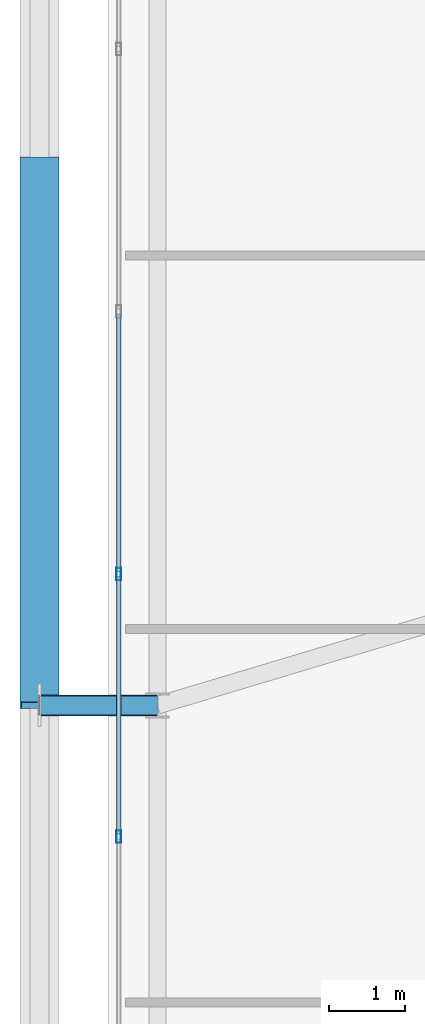
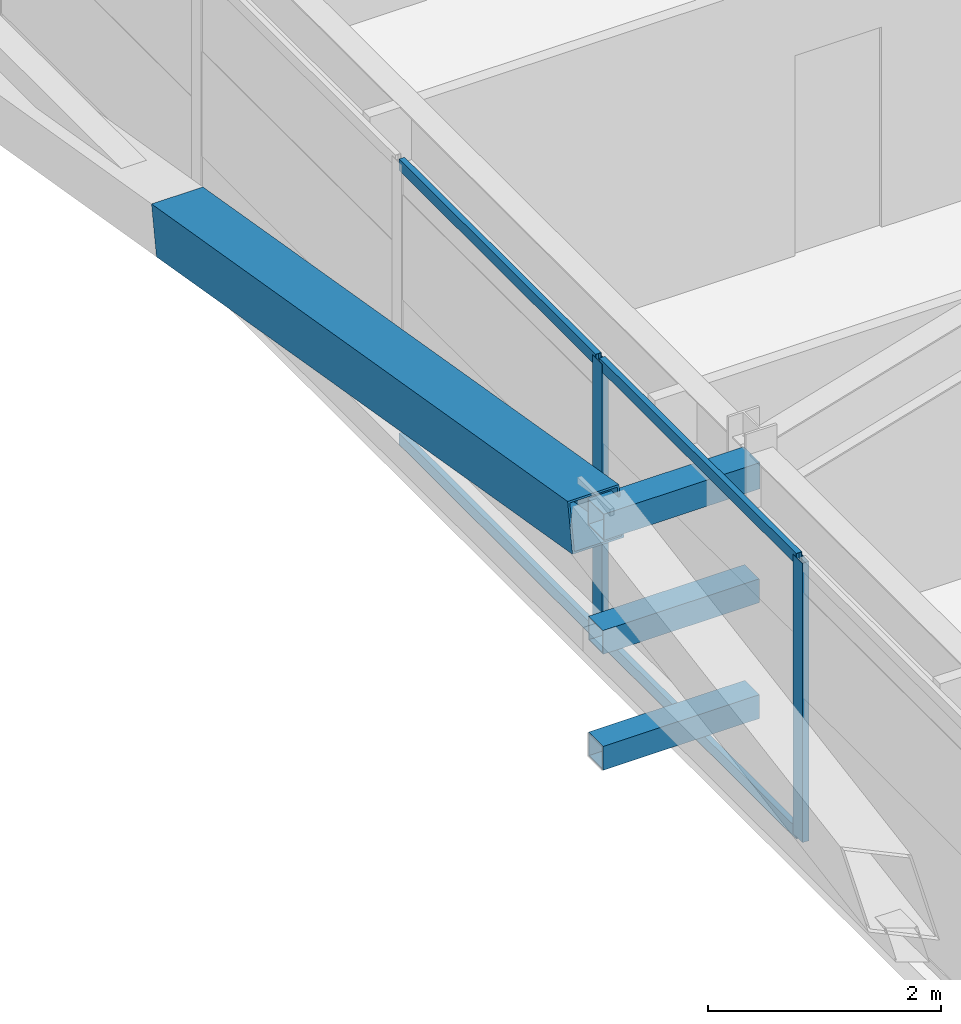
# One storey, part 14 of 58: 10 members, 1 element without a shape of its own.
"""IFC4 building model written with IfcOpenShell, lengths in metres."""

from ifc_helpers import new_model, si_unit, direction, frame, origin, origin_2d, place, context, subcontext, project, spatial, hollow_rectangle, extrude, source, transform, mapped, material, layer, layer_set, material_profile, profile_set, type_object, element, aggregate, save


model = new_model("IFC4")

# Units and contexts
model_context = context("Model", 3, precision=1e-05, world=origin(), true_north=direction((0.0, 1.0)))
body_context = subcontext(model_context, "Body", "Model", "MODEL_VIEW")
ifc_project = project(units=[si_unit("LENGTHUNIT", "METRE"), si_unit("AREAUNIT", "SQUARE_METRE"), si_unit("VOLUMEUNIT", "CUBIC_METRE"), si_unit("PLANEANGLEUNIT", "RADIAN"), si_unit("MASSUNIT", "GRAM", prefix="KILO")], contexts=[model_context])

# Site, building, storey
site_placement = place(None, origin())
site = spatial("IfcSite", under=ifc_project, at=site_placement, CompositionType="ELEMENT")
building_placement = place(site_placement, origin())
building = spatial("IfcBuilding", under=site, at=building_placement, Name="Taldren Reach Tower", CompositionType="ELEMENT")
storey_placement = place(building_placement, frame((0.0, 0.0, 35.699951171875)))
storey = spatial("IfcBuildingStorey", under=building, at=storey_placement, Name="L10", CompositionType="ELEMENT", Elevation=35.699951171875)

# Members
ifc_material_1 = material(Name="Steel Gr 450 (C450L0)", Category="steel")
ifc_material_profile_1 = material_profile(ifc_material_1, hollow_rectangle(XDim=0.27490234375, YDim=0.27490234375, WallThickness=0.00927734375, at=origin_2d()), Name="275x275x9.3SHS")
ifc_profile_set_1 = profile_set([ifc_material_profile_1], Name="Steel Gr 450 (C450L0)")
member_type_1 = type_object("IfcMemberType", Name="MB-TIE273", PredefinedType="STRUT", material=ifc_profile_set_1)
shared_shape_1 = source(origin(), body_context, "Body", "SweptSolid", [
    extrude(hollow_rectangle(XDim=0.27490234375, YDim=0.27490234375, WallThickness=0.00927734375, at=origin_2d()), origin(), (0.0, 0.0, 1.0), 1.5498046875),
])
member_1_placement = place(storey_placement, frame((5.64990234375, 20.0, 2.650146484375), z_axis=(-1.0, 0.0, 0.0), x_axis=(0.0, -1.0, 0.0)))
element("IfcMember", 1, at=member_1_placement, inside=storey, type_object=member_type_1, Name="Exoskeleton diaphragm tie strut B1-W2 L10", PredefinedType="STRUT", context=body_context, shape_type="MappedRepresentation", body=[
    mapped(shared_shape_1, transform((0.0, 0.0, 0.0), scale=1.0)),
])
ifc_material_2 = material(Name="Steel Gr 350 (C350L0)", Category="steel")
ifc_material_profile_2 = material_profile(ifc_material_2, hollow_rectangle(XDim=0.25, YDim=0.25, WallThickness=0.010009765625, at=origin_2d()), Name="250x250x10.0SHS")
ifc_profile_set_2 = profile_set([ifc_material_profile_2], Name="Steel Gr 350 (C350L0)")
member_type_2 = type_object("IfcMemberType", Name="MB-POST250", PredefinedType="POST", material=ifc_profile_set_2)
shared_shape_2 = source(origin(), body_context, "Body", "SweptSolid", [
    extrude(hollow_rectangle(XDim=0.25, YDim=0.25, WallThickness=0.010009765625, at=origin_2d()), origin(), (0.0, 0.0, 1.0), 1.5498046875),
])
for number, where, z_axis, x_axis, name in (
    (2, (5.64990234375, 20.0, 0.219970703125), (-1.0, 0.0, 0.0), (0.0, -1.0, 0.0), "Exoskeleton base diaphragm tie strut B1-W2 L10"),
    (3, (5.64990234375, 20.0, 1.43505859375), (-1.0, 0.0, 0.0), (0.0, -1.0, 0.0), "Exoskeleton mid-tier diaphragm tie B1-W2 L10"),
):
    element("IfcMember", number, at=place(storey_placement, frame(where, z_axis=z_axis, x_axis=x_axis)), inside=storey, type_object=member_type_2, Name=name, PredefinedType="POST", context=body_context, shape_type="MappedRepresentation", body=[
        mapped(shared_shape_2, transform((0.0, 0.0, 0.0), scale=1.0)),
    ])
ifc_material_profile_3 = material_profile(ifc_material_1, hollow_rectangle(XDim=0.510009765625, YDim=0.510009765625, WallThickness=0.02001953125, at=origin_2d()), Name="510x510x20.0SHS")
ifc_profile_set_3 = profile_set([ifc_material_profile_3], Name="Steel Gr 450 (C450L0)")
member_type_3 = type_object("IfcMemberType", Name="MB-EXO508", PredefinedType="BRACE", material=ifc_profile_set_3)
shared_shape_3 = source(origin(), body_context, "Body", "SweptSolid", [
    extrude(hollow_rectangle(XDim=0.510009765625, YDim=0.510009765625, WallThickness=0.02001953125, at=origin_2d()), origin(), (0.0, 0.0, 1.0), 7.25244140625),
])
member_2_placement = place(storey_placement, frame((4.10009765625, 27.14990234375, 1.43505859375), z_axis=(0.0, -0.985864855729, 0.167542490848), x_axis=(1.0, 0.0, 0.0)))
element("IfcMember", 4, at=member_2_placement, inside=storey, type_object=member_type_3, Name="Exoskeleton Diagrid Brace B1-W2 L10", PredefinedType="BRACE", context=body_context, shape_type="MappedRepresentation", body=[
    mapped(shared_shape_3, transform((0.0, 0.0, 0.0), scale=1.0)),
])

# Curtain wall, members
ifc_material_3 = material(Name="Aluminium and Low-E Glass Unitised System", Category="aluminium")
ifc_layer = layer(ifc_material_3, 0.159912109375)
ifc_layer_set = layer_set([ifc_layer], Name="Aluminium and Low-E Glass Unitised System")
curtain_wall_type = type_object("IfcCurtainWallType", Name="CW-SYS-2", PredefinedType="NOTDEFINED", material=ifc_layer_set)
curtain_wall_placement = place(storey_placement, origin())
curtain_wall = element("IfcCurtainWall", 5, at=curtain_wall_placement, inside=storey, type_object=curtain_wall_type, Name="Unitised curtain wall CW-L10-W", PredefinedType="NOTDEFINED")
ifc_material_4 = material(Name="Anodised Aluminium 6063-T6", Category="aluminium")
ifc_material_profile_4 = material_profile(ifc_material_4, hollow_rectangle(XDim=0.06494140625, YDim=0.1650390625, WallThickness=0.00390625, at=origin_2d()), Name="ALU-165x65x4RHS")
ifc_profile_set_4 = profile_set([ifc_material_profile_4], Name="Anodised Aluminium 6063-T6")
member_type_4 = type_object("IfcMemberType", Name="CW-MUL-165", PredefinedType="MULLION", material=ifc_profile_set_4)
shared_shape_4 = source(origin(), body_context, "Body", "SweptSolid", [
    extrude(hollow_rectangle(XDim=0.06494140625, YDim=0.1650390625, WallThickness=0.00390625, at=origin_2d()), origin(), (0.0, 0.0, 1.0), 2.929931640625),
])
member_3_placement = place(storey_placement, frame((5.139892578125, 21.72216796875, 0.0), z_axis=(0.0, 0.0, 1.0), x_axis=(1.0, 0.0, 0.0)))
member_3 = element("IfcMember", 6, at=member_3_placement, type_object=member_type_4, Name="CW-2 mullion 5", PredefinedType="MULLION", context=body_context, shape_type="MappedRepresentation", body=[
    mapped(shared_shape_4, transform((0.0, 0.0, 0.0), scale=1.0)),
])
member_4_placement = place(storey_placement, frame((5.139892578125, 18.27783203125, 0.0), z_axis=(0.0, 0.0, 1.0), x_axis=(1.0, 0.0, 0.0)))
member_4 = element("IfcMember", 7, at=member_4_placement, type_object=member_type_4, Name="CW-2 mullion 6", PredefinedType="MULLION", context=body_context, shape_type="MappedRepresentation", body=[
    mapped(shared_shape_4, transform((0.0, 0.0, 0.0), scale=1.0)),
])
ifc_material_profile_5 = material_profile(ifc_material_4, hollow_rectangle(XDim=0.054931640625, YDim=0.1201171875, WallThickness=0.0029296875, at=origin_2d()), Name="ALU-120x55x3RHS")
ifc_profile_set_5 = profile_set([ifc_material_profile_5], Name="Anodised Aluminium 6063-T6")
member_type_5 = type_object("IfcMemberType", Name="CW-TRN-135", PredefinedType="USERDEFINED", material=ifc_profile_set_5)
shared_shape_5 = source(origin(), body_context, "Body", "SweptSolid", [
    extrude(hollow_rectangle(XDim=0.054931640625, YDim=0.1201171875, WallThickness=0.0029296875, at=origin_2d()), origin(), (0.0, 0.0, 1.0), 3.37939453125),
])
member_5_placement = place(storey_placement, frame((5.139892578125, 21.689697265625, 0.027587890625), z_axis=(0.0, -1.0, 0.0), x_axis=(1.0, 0.0, 0.0)))
member_5 = element("IfcMember", 8, at=member_5_placement, type_object=member_type_5, Name="CW-2 transom 5.1", ObjectType="TRANSOM", PredefinedType="USERDEFINED", context=body_context, shape_type="MappedRepresentation", body=[
    mapped(shared_shape_5, transform((0.0, 0.0, 0.0), scale=1.0)),
])
member_6_placement = place(storey_placement, frame((5.139892578125, 21.689697265625, 2.902587890625), z_axis=(0.0, -1.0, 0.0), x_axis=(1.0, 0.0, 0.0)))
member_6 = element("IfcMember", 9, at=member_6_placement, type_object=member_type_5, Name="CW-2 transom 5.2", ObjectType="TRANSOM", PredefinedType="USERDEFINED", context=body_context, shape_type="MappedRepresentation", body=[
    mapped(shared_shape_5, transform((0.0, 0.0, 0.0), scale=1.0)),
])
shared_shape_6 = source(origin(), body_context, "Body", "SweptSolid", [
    extrude(hollow_rectangle(XDim=0.054931640625, YDim=0.1201171875, WallThickness=0.0029296875, at=origin_2d()), origin(), (0.0, 0.0, 1.0), 3.379638671875),
])
member_7_placement = place(storey_placement, frame((5.139892578125, 25.13427734375, 0.027587890625), z_axis=(0.0, -1.0, 0.0), x_axis=(1.0, 0.0, 0.0)))
member_7 = element("IfcMember", 10, at=member_7_placement, type_object=member_type_5, Name="CW-2 transom 4.1", ObjectType="TRANSOM", PredefinedType="USERDEFINED", context=body_context, shape_type="MappedRepresentation", body=[
    mapped(shared_shape_6, transform((0.0, 0.0, 0.0), scale=1.0)),
])
member_8_placement = place(storey_placement, frame((5.139892578125, 25.13427734375, 2.902587890625), z_axis=(0.0, -1.0, 0.0), x_axis=(1.0, 0.0, 0.0)))
member_8 = element("IfcMember", 11, at=member_8_placement, type_object=member_type_5, Name="CW-2 transom 4.2", ObjectType="TRANSOM", PredefinedType="USERDEFINED", context=body_context, shape_type="MappedRepresentation", body=[
    mapped(shared_shape_6, transform((0.0, 0.0, 0.0), scale=1.0)),
])
aggregate(curtain_wall, [member_3, member_4, member_7, member_8, member_5, member_6])

save(model, "model.ifc")
